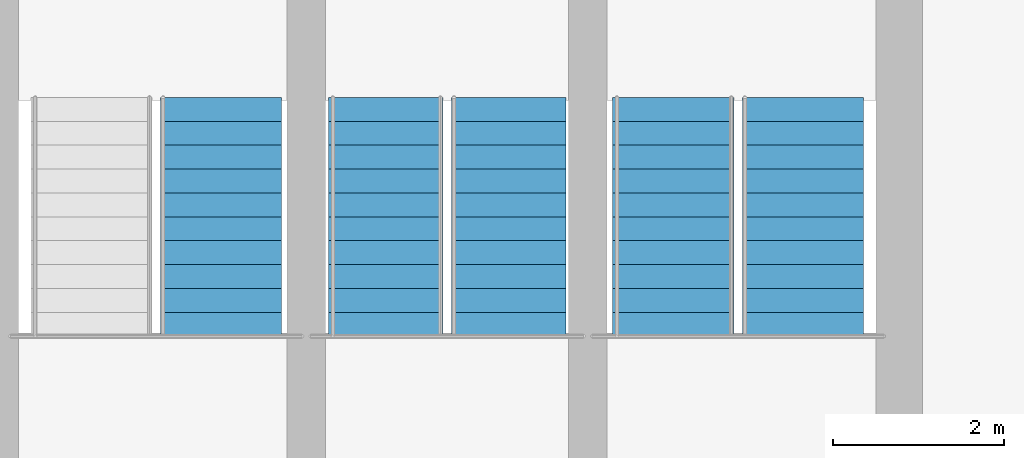
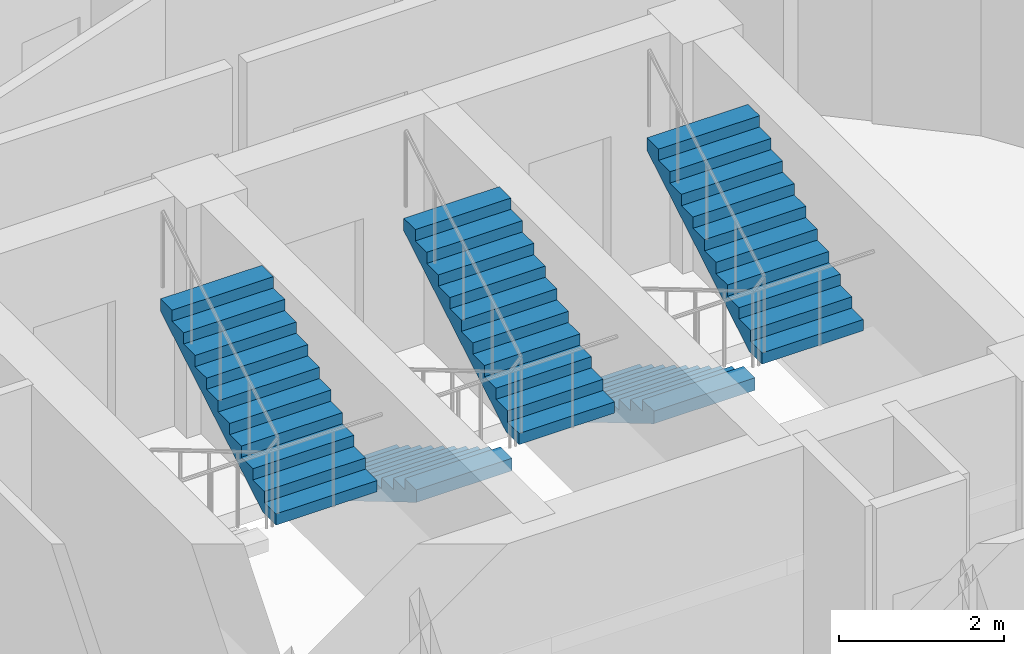
# One storey, part 26 of 27: 5 stair flights, 3 elements without a shape of their own.
"""IFC4 building model written with IfcOpenShell, lengths in metres."""

from ifc_helpers import new_model, si_unit, direction, frame, origin, place, context, subcontext, project, spatial, polyline, outline, extrude, material, type_object, element, aggregate, save


model = new_model("IFC4")

# Units and contexts
model_context = context("Model", 3, precision=1e-05, world=origin(), true_north=direction((0.0, 1.0)))
body_context = subcontext(model_context, "Body", "Model", "MODEL_VIEW")
ifc_project = project(units=[si_unit("LENGTHUNIT", "METRE"), si_unit("AREAUNIT", "SQUARE_METRE"), si_unit("VOLUMEUNIT", "CUBIC_METRE"), si_unit("PLANEANGLEUNIT", "RADIAN"), si_unit("MASSUNIT", "GRAM", prefix="KILO")], contexts=[model_context])

# Site, building, storey
site_placement = place(None, origin())
site = spatial("IfcSite", under=ifc_project, at=site_placement, CompositionType="ELEMENT")
building_placement = place(site_placement, origin())
building = spatial("IfcBuilding", under=site, at=building_placement, Name="Nuhasar Tower", CompositionType="ELEMENT")
storey_placement = place(building_placement, frame((0.0, 0.0, 248.300048828125)))
storey = spatial("IfcBuildingStorey", under=building, at=storey_placement, Name="L61", CompositionType="ELEMENT", Elevation=248.300048828125)

# Stair, stair flight
ifc_material = material(Name="Concrete C45/55", Category="concrete")
stair_type_1 = type_object("IfcStairType", Name="STR-ST-01-2F-22R-1659", PredefinedType="HALF_TURN_STAIR", material=ifc_material)
stair_1_placement = place(storey_placement, origin())
stair_1 = element("IfcStair", 1, at=stair_1_placement, inside=storey, type_object=stair_type_1, Name="L61 Exit Stair ST-01", PredefinedType="HALF_TURN_STAIR")
stair_flight_type_1 = type_object("IfcStairFlightType", Name="SFL-ST-01-11R-1659", PredefinedType="STRAIGHT", material=ifc_material)
stair_flight_1_placement = place(storey_placement, frame((36.35009765625, 32.485107421875, 1.824951171875), z_axis=(0.0, 0.0, 1.0), x_axis=(0.0, 1.0, 0.0)))
stair_flight_1 = element("IfcStairFlight", 2, at=stair_flight_1_placement, type_object=stair_flight_type_1, Name="ST-01 flight 2", NumberOfRisers=11, NumberOfTreads=10, PredefinedType="STRAIGHT", RiserHeight=0.165909, TreadLength=0.28, context=body_context, shape_type="SweptSolid", body=[
    extrude(outline(polyline([(0.0, 0.0), (0.0, 0.166015625), (0.280029296875, 0.166015625), (0.280029296875, 0.331787109375), (0.56005859375, 0.331787109375), (0.56005859375, 0.497802734375), (0.840087890625, 0.497802734375), (0.840087890625, 0.66357421875), (1.1201171875, 0.66357421875), (1.1201171875, 0.82958984375), (1.39990234375, 0.82958984375), (1.39990234375, 0.995361328125), (1.679931640625, 0.995361328125), (1.679931640625, 1.161376953125), (1.9599609375, 1.161376953125), (1.9599609375, 1.327392578125), (2.239990234375, 1.327392578125), (2.239990234375, 1.4931640625), (2.52001953125, 1.4931640625), (2.52001953125, 1.6591796875), (2.800048828125, 1.6591796875), (2.800048828125, 1.824951171875), (2.800048828125, 1.47314453125), (0.313720703125, 0.0), (0.0, 0.0)])), frame((0.0, 0.7099609375, 0.0), z_axis=(0.0, -1.0, 0.0), x_axis=(1.0, 0.0, 0.0)), (0.0, 0.0, 1.0), 1.419921875),
])
aggregate(stair_1, [stair_flight_1])

# Stair, stair flights
stair_type_2 = type_object("IfcStairType", Name="STR-ST-02-2F-22R-1659", PredefinedType="HALF_TURN_STAIR", material=ifc_material)
stair_2_placement = place(storey_placement, origin())
stair_2 = element("IfcStair", 3, at=stair_2_placement, inside=storey, type_object=stair_type_2, Name="L61 Exit Stair ST-02", PredefinedType="HALF_TURN_STAIR")
stair_flight_type_2 = type_object("IfcStairFlightType", Name="SFL-ST-02-11R-1659", PredefinedType="STRAIGHT", material=ifc_material)
stair_flight_2_placement = place(storey_placement, frame((41.64990234375, 35.284912109375, 0.0), z_axis=(0.0, 0.0, 1.0), x_axis=(0.0, -1.0, 0.0)))
stair_flight_2 = element("IfcStairFlight", 4, at=stair_flight_2_placement, type_object=stair_flight_type_2, Name="ST-02 flight 1", NumberOfRisers=11, NumberOfTreads=10, PredefinedType="STRAIGHT", RiserHeight=0.165909, TreadLength=0.28, context=body_context, shape_type="SweptSolid", body=[
    extrude(outline(polyline([(0.0, 0.0), (0.0, 0.166015625), (0.280029296875, 0.166015625), (0.280029296875, 0.331787109375), (0.56005859375, 0.331787109375), (0.56005859375, 0.497802734375), (0.840087890625, 0.497802734375), (0.840087890625, 0.66357421875), (1.1201171875, 0.66357421875), (1.1201171875, 0.82958984375), (1.39990234375, 0.82958984375), (1.39990234375, 0.995361328125), (1.679931640625, 0.995361328125), (1.679931640625, 1.161376953125), (1.9599609375, 1.161376953125), (1.9599609375, 1.327392578125), (2.239990234375, 1.327392578125), (2.239990234375, 1.4931640625), (2.52001953125, 1.4931640625), (2.52001953125, 1.6591796875), (2.800048828125, 1.6591796875), (2.800048828125, 1.824951171875), (2.800048828125, 1.47314453125), (0.313720703125, 0.0), (0.0, 0.0)])), frame((0.0, 0.7099609375, 0.0), z_axis=(0.0, -1.0, 0.0), x_axis=(1.0, 0.0, 0.0)), (0.0, 0.0, 1.0), 1.419921875),
])
stair_flight_3_placement = place(storey_placement, frame((43.169921875, 32.485107421875, 1.824951171875), z_axis=(0.0, 0.0, 1.0), x_axis=(0.0, 1.0, 0.0)))
stair_flight_3 = element("IfcStairFlight", 5, at=stair_flight_3_placement, type_object=stair_flight_type_2, Name="ST-02 flight 2", NumberOfRisers=11, NumberOfTreads=10, PredefinedType="STRAIGHT", RiserHeight=0.165909, TreadLength=0.28, context=body_context, shape_type="SweptSolid", body=[
    extrude(outline(polyline([(0.0, 0.0), (0.0, 0.166015625), (0.280029296875, 0.166015625), (0.280029296875, 0.331787109375), (0.56005859375, 0.331787109375), (0.56005859375, 0.497802734375), (0.840087890625, 0.497802734375), (0.840087890625, 0.66357421875), (1.1201171875, 0.66357421875), (1.1201171875, 0.82958984375), (1.39990234375, 0.82958984375), (1.39990234375, 0.995361328125), (1.679931640625, 0.995361328125), (1.679931640625, 1.161376953125), (1.9599609375, 1.161376953125), (1.9599609375, 1.327392578125), (2.239990234375, 1.327392578125), (2.239990234375, 1.4931640625), (2.52001953125, 1.4931640625), (2.52001953125, 1.6591796875), (2.800048828125, 1.6591796875), (2.800048828125, 1.824951171875), (2.800048828125, 1.47314453125), (0.313720703125, 0.0), (0.0, 0.0)])), frame((0.0, 0.7099609375, 0.0), z_axis=(0.0, -1.0, 0.0), x_axis=(1.0, 0.0, 0.0)), (0.0, 0.0, 1.0), 1.419921875),
])
aggregate(stair_2, [stair_flight_2, stair_flight_3])

stair_type_3 = type_object("IfcStairType", Name="STR-ST-03-2F-22R-1659", PredefinedType="HALF_TURN_STAIR", material=ifc_material)
stair_3_placement = place(storey_placement, origin())
stair_3 = element("IfcStair", 6, at=stair_3_placement, inside=storey, type_object=stair_type_3, Name="L61 Exit Stair ST-03", PredefinedType="HALF_TURN_STAIR")
stair_flight_type_3 = type_object("IfcStairFlightType", Name="SFL-ST-03-11R-1659", PredefinedType="STRAIGHT", material=ifc_material)
stair_flight_4_placement = place(storey_placement, frame((38.280029296875, 35.284912109375, 0.0), z_axis=(0.0, 0.0, 1.0), x_axis=(0.0, -1.0, 0.0)))
stair_flight_4 = element("IfcStairFlight", 7, at=stair_flight_4_placement, type_object=stair_flight_type_3, Name="ST-03 flight 1", NumberOfRisers=11, NumberOfTreads=10, PredefinedType="STRAIGHT", RiserHeight=0.165909, TreadLength=0.28, context=body_context, shape_type="SweptSolid", body=[
    extrude(outline(polyline([(0.0, 0.0), (0.0, 0.166015625), (0.280029296875, 0.166015625), (0.280029296875, 0.331787109375), (0.56005859375, 0.331787109375), (0.56005859375, 0.497802734375), (0.840087890625, 0.497802734375), (0.840087890625, 0.66357421875), (1.1201171875, 0.66357421875), (1.1201171875, 0.82958984375), (1.39990234375, 0.82958984375), (1.39990234375, 0.995361328125), (1.679931640625, 0.995361328125), (1.679931640625, 1.161376953125), (1.9599609375, 1.161376953125), (1.9599609375, 1.327392578125), (2.239990234375, 1.327392578125), (2.239990234375, 1.4931640625), (2.52001953125, 1.4931640625), (2.52001953125, 1.6591796875), (2.800048828125, 1.6591796875), (2.800048828125, 1.824951171875), (2.800048828125, 1.47314453125), (0.313720703125, 0.0), (0.0, 0.0)])), frame((0.0, 0.669921875, 0.0), z_axis=(0.0, -1.0, 0.0), x_axis=(1.0, 0.0, 0.0)), (0.0, 0.0, 1.0), 1.340087890625),
])
stair_flight_5_placement = place(storey_placement, frame((39.719970703125, 32.485107421875, 1.824951171875), z_axis=(0.0, 0.0, 1.0), x_axis=(0.0, 1.0, 0.0)))
stair_flight_5 = element("IfcStairFlight", 8, at=stair_flight_5_placement, type_object=stair_flight_type_3, Name="ST-03 flight 2", NumberOfRisers=11, NumberOfTreads=10, PredefinedType="STRAIGHT", RiserHeight=0.165909, TreadLength=0.28, context=body_context, shape_type="SweptSolid", body=[
    extrude(outline(polyline([(0.0, 0.0), (0.0, 0.166015625), (0.280029296875, 0.166015625), (0.280029296875, 0.331787109375), (0.56005859375, 0.331787109375), (0.56005859375, 0.497802734375), (0.840087890625, 0.497802734375), (0.840087890625, 0.66357421875), (1.1201171875, 0.66357421875), (1.1201171875, 0.82958984375), (1.39990234375, 0.82958984375), (1.39990234375, 0.995361328125), (1.679931640625, 0.995361328125), (1.679931640625, 1.161376953125), (1.9599609375, 1.161376953125), (1.9599609375, 1.327392578125), (2.239990234375, 1.327392578125), (2.239990234375, 1.4931640625), (2.52001953125, 1.4931640625), (2.52001953125, 1.6591796875), (2.800048828125, 1.6591796875), (2.800048828125, 1.824951171875), (2.800048828125, 1.47314453125), (0.313720703125, 0.0), (0.0, 0.0)])), frame((0.0, 0.669921875, 0.0), z_axis=(0.0, -1.0, 0.0), x_axis=(1.0, 0.0, 0.0)), (0.0, 0.0, 1.0), 1.340087890625),
])
aggregate(stair_3, [stair_flight_4, stair_flight_5])

save(model, "model.ifc")
